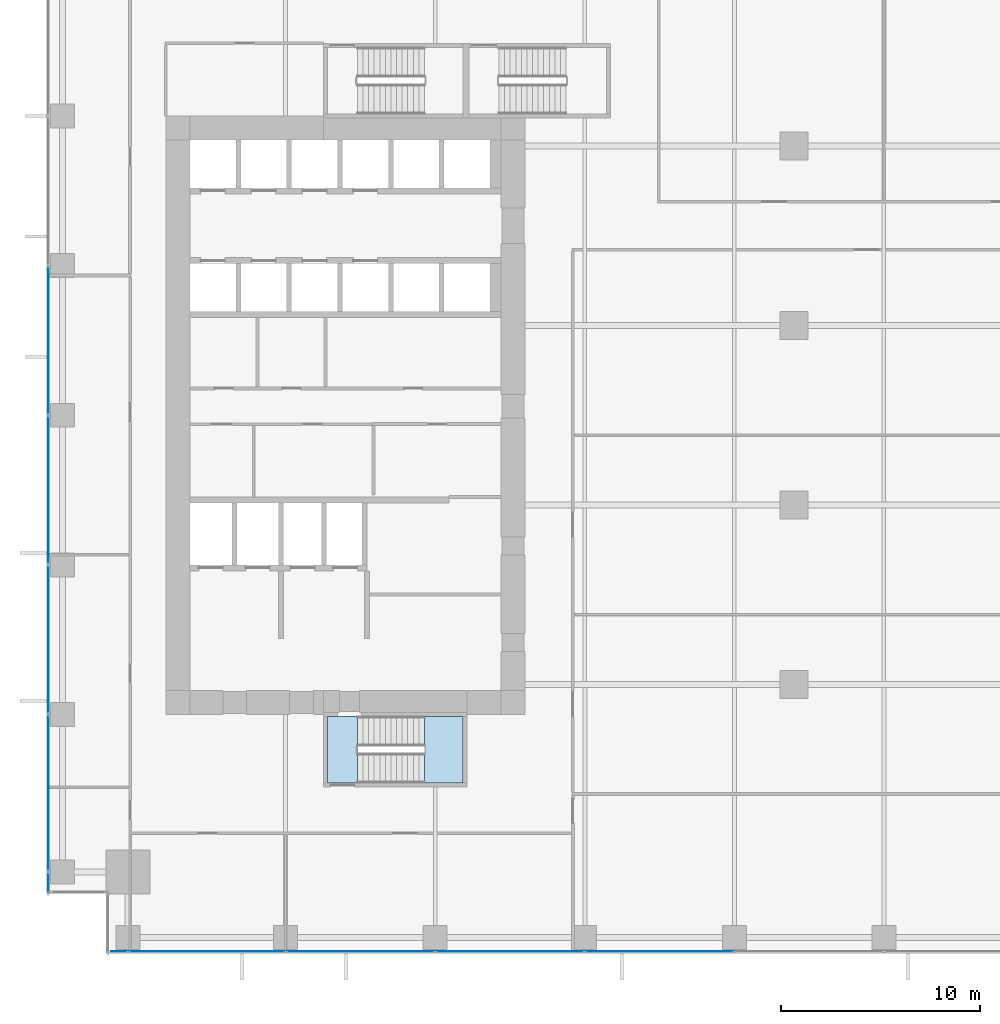
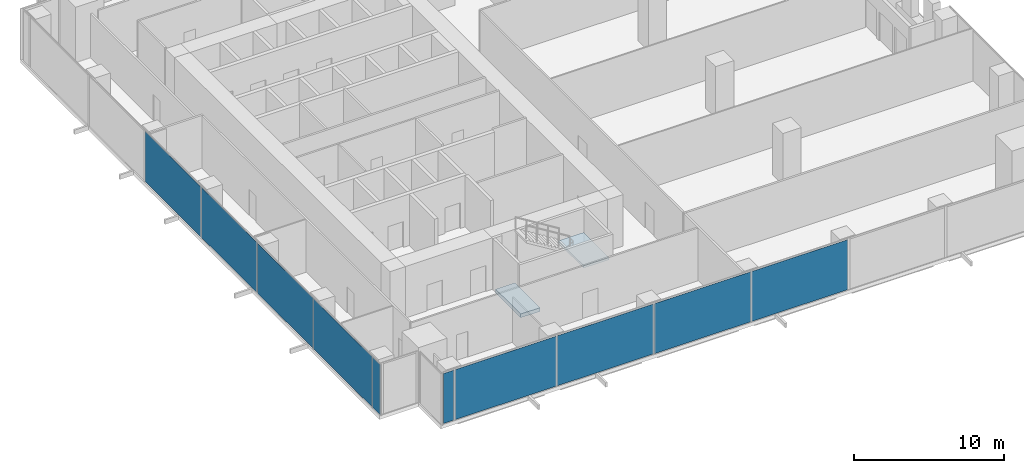
# One storey, part 21 of 32: 10 plates, 2 slabs, 3 elements without a shape of their own.
"""IFC4 building model written with IfcOpenShell, lengths in metres."""

from ifc_helpers import new_model, si_unit, direction, frame, origin, origin_2d, place, context, subcontext, project, spatial, polyline, rectangle, outline, extrude, source, transform, mapped, material, layer, layer_set, type_object, element, aggregate, save


model = new_model("IFC4")

# Units and contexts
model_context = context("Model", 3, precision=1e-05, world=origin(), true_north=direction((0.0, 1.0)))
body_context = subcontext(model_context, "Body", "Model", "MODEL_VIEW")
ifc_project = project(units=[si_unit("LENGTHUNIT", "METRE"), si_unit("AREAUNIT", "SQUARE_METRE"), si_unit("VOLUMEUNIT", "CUBIC_METRE"), si_unit("PLANEANGLEUNIT", "RADIAN"), si_unit("MASSUNIT", "GRAM", prefix="KILO")], contexts=[model_context])

# Site, building, storey
site_placement = place(None, origin())
site = spatial("IfcSite", under=ifc_project, at=site_placement, CompositionType="ELEMENT")
building_placement = place(site_placement, origin())
building = spatial("IfcBuilding", under=site, at=building_placement, Name="Khomas Fold Tower", CompositionType="ELEMENT")
storey_placement = place(building_placement, frame((0.0, 0.0, 42.0)))
storey = spatial("IfcBuildingStorey", under=building, at=storey_placement, Name="L08", CompositionType="ELEMENT", Elevation=42.0)

# Curtain wall, plates
ifc_material_1 = material(Name="Aluminium framed double glazing", Category="aluminium")
curtain_wall_type = type_object("IfcCurtainWallType", Name="SK-Unitised clear-glass wall, growing floors CW1", PredefinedType="NOTDEFINED", material=ifc_material_1)
curtain_wall_1_placement = place(storey_placement, origin())
curtain_wall_1 = element("IfcCurtainWall", 1, at=curtain_wall_1_placement, inside=storey, type_object=curtain_wall_type, Name="CW1 run L08 00-0", PredefinedType="NOTDEFINED")
ifc_material_2 = material(Name="Clear double glazed unit")
ifc_layer_1 = layer(ifc_material_2, 0.031982421875)
ifc_layer_set_1 = layer_set([ifc_layer_1], Name="Clear double glazed unit")
plate_type = type_object("IfcPlateType", Name="SK-Unitised clear-glass wall, growing floors glass panel CW1-P", PredefinedType="CURTAIN_PANEL", material=ifc_layer_set_1)
shared_shape_1 = source(origin(), body_context, "Body", "SweptSolid", [
    extrude(rectangle(XDim=0.81005859375, YDim=0.031982421875, at=origin_2d()), origin(), (0.0, 0.0, 1.0), 4.080078125),
])
plate_1_placement = place(storey_placement, frame((3.6650390625, 0.10009765625, 0.0), z_axis=(0.0, 0.0, 1.0), x_axis=(1.0, 0.0, 0.0)))
plate_1 = element("IfcPlate", 2, at=plate_1_placement, type_object=plate_type, Name="CW1 glass panel 1", PredefinedType="CURTAIN_PANEL", context=body_context, shape_type="MappedRepresentation", body=[
    mapped(shared_shape_1, transform((0.0, 0.0, 0.0))),
])
shared_shape_2 = source(origin(), body_context, "Body", "SweptSolid", [
    extrude(rectangle(XDim=7.840087890625, YDim=0.031982421875, at=origin_2d()), origin(), (0.0, 0.0, 1.0), 4.080078125),
])
plate_2_placement = place(storey_placement, frame((8.050048828125, 0.10009765625, 0.0), z_axis=(0.0, 0.0, 1.0), x_axis=(1.0, 0.0, 0.0)))
plate_2 = element("IfcPlate", 3, at=plate_2_placement, type_object=plate_type, Name="CW1 glass panel 2", PredefinedType="CURTAIN_PANEL", context=body_context, shape_type="MappedRepresentation", body=[
    mapped(shared_shape_2, transform((0.0, 0.0, 0.0))),
])

# Curtain wall, plate
curtain_wall_2_placement = place(storey_placement, origin())
curtain_wall_2 = element("IfcCurtainWall", 4, at=curtain_wall_2_placement, inside=storey, type_object=curtain_wall_type, Name="CW1 run L08 09-0", PredefinedType="NOTDEFINED")
plate_3_placement = place(storey_placement, frame((0.10009765625, 8.050048828125, 0.0), z_axis=(0.0, 0.0, 1.0), x_axis=(0.0, -1.0, 0.0)))
plate_3 = element("IfcPlate", 5, at=plate_3_placement, type_object=plate_type, Name="CW1 glass panel 7", PredefinedType="CURTAIN_PANEL", context=body_context, shape_type="MappedRepresentation", body=[
    mapped(shared_shape_2, transform((0.0, 0.0, 0.0))),
])

# Plate
shared_shape_3 = source(origin(), body_context, "Body", "SweptSolid", [
    extrude(rectangle(XDim=7.43994140625, YDim=0.031982421875, at=origin_2d()), origin(), (0.0, 0.0, 1.0), 4.080078125),
])
plate_4_placement = place(storey_placement, frame((15.75, 0.10009765625, 0.0), z_axis=(0.0, 0.0, 1.0), x_axis=(1.0, 0.0, 0.0)))
plate_4 = element("IfcPlate", 6, at=plate_4_placement, type_object=plate_type, Name="CW1 glass panel 3", PredefinedType="CURTAIN_PANEL", context=body_context, shape_type="MappedRepresentation", body=[
    mapped(shared_shape_3, transform((0.0, 0.0, 0.0))),
])

plate_5_placement = place(storey_placement, frame((23.25, 0.10009765625, 0.0), z_axis=(0.0, 0.0, 1.0), x_axis=(1.0, 0.0, 0.0)))
plate_5 = element("IfcPlate", 7, at=plate_5_placement, type_object=plate_type, Name="CW1 glass panel 4", PredefinedType="CURTAIN_PANEL", context=body_context, shape_type="MappedRepresentation", body=[
    mapped(shared_shape_3, transform((0.0, 0.0, 0.0))),
])

plate_6_placement = place(storey_placement, frame((30.75, 0.10009765625, 0.0), z_axis=(0.0, 0.0, 1.0), x_axis=(1.0, 0.0, 0.0)))
plate_6 = element("IfcPlate", 8, at=plate_6_placement, type_object=plate_type, Name="CW1 glass panel 5", PredefinedType="CURTAIN_PANEL", context=body_context, shape_type="MappedRepresentation", body=[
    mapped(shared_shape_3, transform((0.0, 0.0, 0.0))),
])

aggregate(curtain_wall_1, [plate_1, plate_2, plate_4, plate_5, plate_6])

plate_7_placement = place(storey_placement, frame((0.10009765625, 30.75, 0.0), z_axis=(0.0, 0.0, 1.0), x_axis=(0.0, -1.0, 0.0)))
plate_7 = element("IfcPlate", 9, at=plate_7_placement, type_object=plate_type, Name="CW1 glass panel 4", PredefinedType="CURTAIN_PANEL", context=body_context, shape_type="MappedRepresentation", body=[
    mapped(shared_shape_3, transform((0.0, 0.0, 0.0))),
])

plate_8_placement = place(storey_placement, frame((0.10009765625, 23.25, 0.0), z_axis=(0.0, 0.0, 1.0), x_axis=(0.0, -1.0, 0.0)))
plate_8 = element("IfcPlate", 10, at=plate_8_placement, type_object=plate_type, Name="CW1 glass panel 5", PredefinedType="CURTAIN_PANEL", context=body_context, shape_type="MappedRepresentation", body=[
    mapped(shared_shape_3, transform((0.0, 0.0, 0.0))),
])

plate_9_placement = place(storey_placement, frame((0.10009765625, 15.75, 0.0), z_axis=(0.0, 0.0, 1.0), x_axis=(0.0, -1.0, 0.0)))
plate_9 = element("IfcPlate", 11, at=plate_9_placement, type_object=plate_type, Name="CW1 glass panel 6", PredefinedType="CURTAIN_PANEL", context=body_context, shape_type="MappedRepresentation", body=[
    mapped(shared_shape_3, transform((0.0, 0.0, 0.0))),
])

shared_shape_4 = source(origin(), body_context, "Body", "SweptSolid", [
    extrude(rectangle(XDim=1.010009765625, YDim=0.031982421875, at=origin_2d()), origin(), (0.0, 0.0, 1.0), 4.080078125),
])
plate_10_placement = place(storey_placement, frame((0.10009765625, 3.56494140625, 0.0), z_axis=(0.0, 0.0, 1.0), x_axis=(0.0, -1.0, 0.0)))
plate_10 = element("IfcPlate", 12, at=plate_10_placement, type_object=plate_type, Name="CW1 glass panel 8", PredefinedType="CURTAIN_PANEL", context=body_context, shape_type="MappedRepresentation", body=[
    mapped(shared_shape_4, transform((0.0, 0.0, 0.0))),
])

aggregate(curtain_wall_2, [plate_7, plate_8, plate_9, plate_3, plate_10])

# Stair, slab
ifc_material_3 = material(Name="Concrete C40/50", Category="concrete")
stair_type = type_object("IfcStairType", Name="Stair ST2", PredefinedType="HALF_TURN_STAIR", material=ifc_material_3)
stair_placement = place(storey_placement, origin())
stair = element("IfcStair", 13, at=stair_placement, inside=storey, type_object=stair_type, Name="L08 ST2", PredefinedType="HALF_TURN_STAIR")
ifc_material_4 = material(Name="Concrete C40/50", Category="concrete")
ifc_layer_2 = layer(ifc_material_4, 0.199951171875)
ifc_layer_set_2 = layer_set([ifc_layer_2], Name="Concrete C40/50")
slab_type_1 = type_object("IfcSlabType", Name="Stair landing 200", PredefinedType="LANDING", material=ifc_layer_set_2)
shared_shape_5 = source(origin(), body_context, "Body", "SweptSolid", [
    extrude(outline(polyline([(18.9599609375, 8.550048828125), (20.89990234375, 8.550048828125), (20.89990234375, 11.89990234375), (18.9599609375, 11.89990234375), (18.9599609375, 8.550048828125)])), origin(), (0.0, 0.0, 1.0), 0.199951171875),
])
slab_1_placement = place(storey_placement, frame((0.0, 0.0, 2.050048828125)))
slab_1 = element("IfcSlab", 14, at=slab_1_placement, type_object=slab_type_1, Name="ST2 landing 1", PredefinedType="LANDING", context=body_context, shape_type="MappedRepresentation", body=[
    mapped(shared_shape_5, transform((0.0, 0.0, 0.0))),
])
aggregate(stair, [slab_1])

# Slab
ifc_material_5 = material(Name="Concrete C40/50", Category="concrete")
ifc_layer_3 = layer(ifc_material_5, 0.300048828125)
ifc_layer_set_3 = layer_set([ifc_layer_3], Name="Concrete C40/50")
slab_type_2 = type_object("IfcSlabType", Name="Stair floor landing 300", PredefinedType="LANDING", material=ifc_layer_set_3)
shared_shape_6 = source(origin(), body_context, "Body", "SweptSolid", [
    extrude(outline(polyline([(15.60009765625, 8.550048828125), (14.10009765625, 8.550048828125), (14.10009765625, 11.89990234375), (15.60009765625, 11.89990234375), (15.60009765625, 8.550048828125)])), origin(), (0.0, 0.0, 1.0), 0.300048828125),
])
slab_2_placement = place(storey_placement, frame((0.0, 0.0, -0.300048828125)))
element("IfcSlab", 15, at=slab_2_placement, inside=storey, type_object=slab_type_2, Name="ST2 floor landing", PredefinedType="LANDING", context=body_context, shape_type="MappedRepresentation", body=[
    mapped(shared_shape_6, transform((0.0, 0.0, 0.0))),
])

save(model, "model.ifc")
